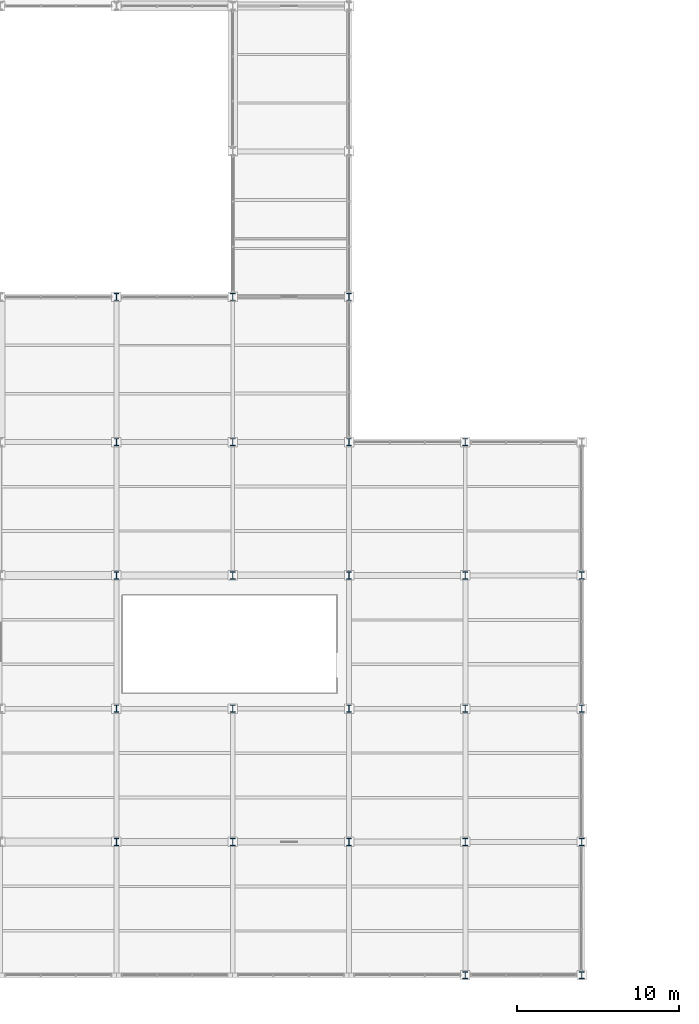
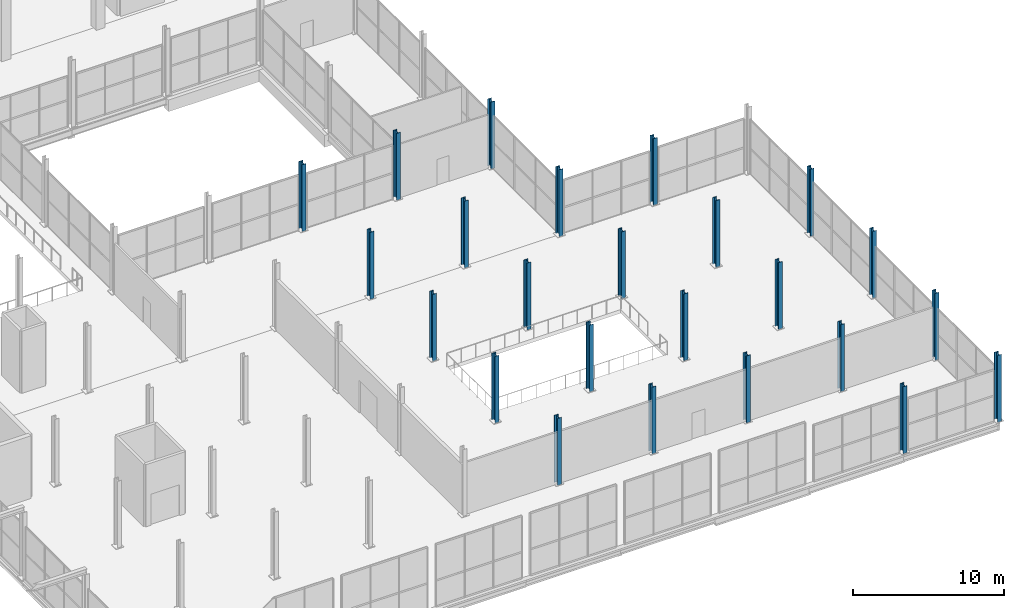
# One storey, part 9 of 147: 24 columns.
"""IFC4 building model written with IfcOpenShell, lengths in metres."""

from ifc_helpers import new_model, si_unit, direction, frame, origin, origin_2d, place, context, subcontext, project, spatial, i_section, extrude, material, material_profile, profile_set, type_object, element, save


model = new_model("IFC4")

# Units and contexts
model_context = context("Model", 3, precision=1e-05, world=origin(), true_north=direction((0.0, 1.0)))
body_context = subcontext(model_context, "Body", "Model", "MODEL_VIEW")
ifc_project = project(units=[si_unit("LENGTHUNIT", "METRE"), si_unit("AREAUNIT", "SQUARE_METRE"), si_unit("VOLUMEUNIT", "CUBIC_METRE"), si_unit("PLANEANGLEUNIT", "RADIAN"), si_unit("MASSUNIT", "GRAM", prefix="KILO")], contexts=[model_context])

# Site, building, storey
site_placement = place(None, origin())
site = spatial("IfcSite", under=ifc_project, at=site_placement, CompositionType="ELEMENT")
building_placement = place(site_placement, origin())
building = spatial("IfcBuilding", under=site, at=building_placement, Name="Sundgate Opera House", CompositionType="ELEMENT")
storey_placement = place(building_placement, frame((0.0, 0.0, 6.0)))
storey = spatial("IfcBuildingStorey", under=building, at=storey_placement, Name="L01", CompositionType="ELEMENT", Elevation=6.0)

# Columns
ifc_material = material(Name="Steel S355J2", Category="steel")
ifc_material_profile = material_profile(ifc_material, i_section(OverallWidth=0.300048828125, OverallDepth=0.449951171875, WebThickness=0.013916015625, FlangeThickness=0.02587890625, at=origin_2d()), Name="HEB 450")
ifc_profile_set = profile_set([ifc_material_profile], Name="Steel S355J2")
column_type = type_object("IfcColumnType", Name="CL-STL-450", PredefinedType="COLUMN", material=ifc_profile_set)
for number, where, z_axis, x_axis, name in (
    (1, (131.39990234375, 8.25, 0.0), (0.0, 0.0, 1.0), (1.0, 0.0, 0.0), "L01 Column C0949"),
    (2, (131.39990234375, 16.5, 0.0), (0.0, 0.0, 1.0), (1.0, 0.0, 0.0), "L01 Column C0953"),
    (3, (131.39990234375, 24.75, 0.0), (0.0, 0.0, 1.0), (1.0, 0.0, 0.0), "L01 Column C0957"),
    (4, (131.39990234375, 33.0, 0.0), (0.0, 0.0, 1.0), (1.0, 0.0, 0.0), "L01 Column C0961"),
    (5, (131.39990234375, 42.0, 0.0), (0.0, 0.0, 1.0), (1.0, 0.0, 0.0), "L01 Column C0965"),
    (6, (138.60009765625, 8.25, 0.0), (0.0, 0.0, 1.0), (1.0, 0.0, 0.0), "L01 Column C0999"),
    (7, (138.60009765625, 16.5, 0.0), (0.0, 0.0, 1.0), (1.0, 0.0, 0.0), "L01 Column C1003"),
    (8, (138.60009765625, 24.75, 0.0), (0.0, 0.0, 1.0), (1.0, 0.0, 0.0), "L01 Column C1007"),
    (9, (138.60009765625, 33.0, 0.0), (0.0, 0.0, 1.0), (1.0, 0.0, 0.0), "L01 Column C1011"),
    (10, (138.60009765625, 42.0, 0.0), (0.0, 0.0, 1.0), (1.0, 0.0, 0.0), "L01 Column C1015"),
    (11, (145.800048828125, 8.25, 0.0), (0.0, 0.0, 1.0), (1.0, 0.0, 0.0), "L01 Column C1053"),
    (12, (145.800048828125, 16.5, 0.0), (0.0, 0.0, 1.0), (1.0, 0.0, 0.0), "L01 Column C1057"),
    (13, (145.800048828125, 24.75, 0.0), (0.0, 0.0, 1.0), (1.0, 0.0, 0.0), "L01 Column C1061"),
    (14, (145.800048828125, 33.0, 0.0), (0.0, 0.0, 1.0), (1.0, 0.0, 0.0), "L01 Column C1065"),
    (15, (145.800048828125, 42.0, 0.0), (0.0, 0.0, 1.0), (1.0, 0.0, 0.0), "L01 Column C1069"),
    (16, (153.0, 0.0, 0.0), (0.0, 0.0, 1.0), (1.0, 0.0, 0.0), "L01 Column C1105"),
    (17, (153.0, 8.25, 0.0), (0.0, 0.0, 1.0), (1.0, 0.0, 0.0), "L01 Column C1108"),
    (18, (153.0, 16.5, 0.0), (0.0, 0.0, 1.0), (1.0, 0.0, 0.0), "L01 Column C1112"),
    (19, (153.0, 24.75, 0.0), (0.0, 0.0, 1.0), (1.0, 0.0, 0.0), "L01 Column C1116"),
    (20, (153.0, 33.0, 0.0), (0.0, 0.0, 1.0), (1.0, 0.0, 0.0), "L01 Column C1120"),
    (21, (160.199951171875, 0.0, 0.0), (0.0, 0.0, 1.0), (1.0, 0.0, 0.0), "L01 Column C1151"),
    (22, (160.199951171875, 8.25, 0.0), (0.0, 0.0, 1.0), (1.0, 0.0, 0.0), "L01 Column C1154"),
    (23, (160.199951171875, 16.5, 0.0), (0.0, 0.0, 1.0), (1.0, 0.0, 0.0), "L01 Column C1157"),
    (24, (160.199951171875, 24.75, 0.0), (0.0, 0.0, 1.0), (1.0, 0.0, 0.0), "L01 Column C1160"),
):
    element("IfcColumn", number, at=place(storey_placement, frame(where, z_axis=z_axis, x_axis=x_axis)), inside=storey, type_object=column_type, Name=name, PredefinedType="COLUMN", context=body_context, shape_type="SweptSolid", body=[
        extrude(i_section(OverallWidth=0.300048828125, OverallDepth=0.449951171875, WebThickness=0.013916015625, FlangeThickness=0.02587890625, at=origin_2d()), origin(), (0.0, 0.0, 1.0), 5.39990234375),
    ])

save(model, "model.ifc")
